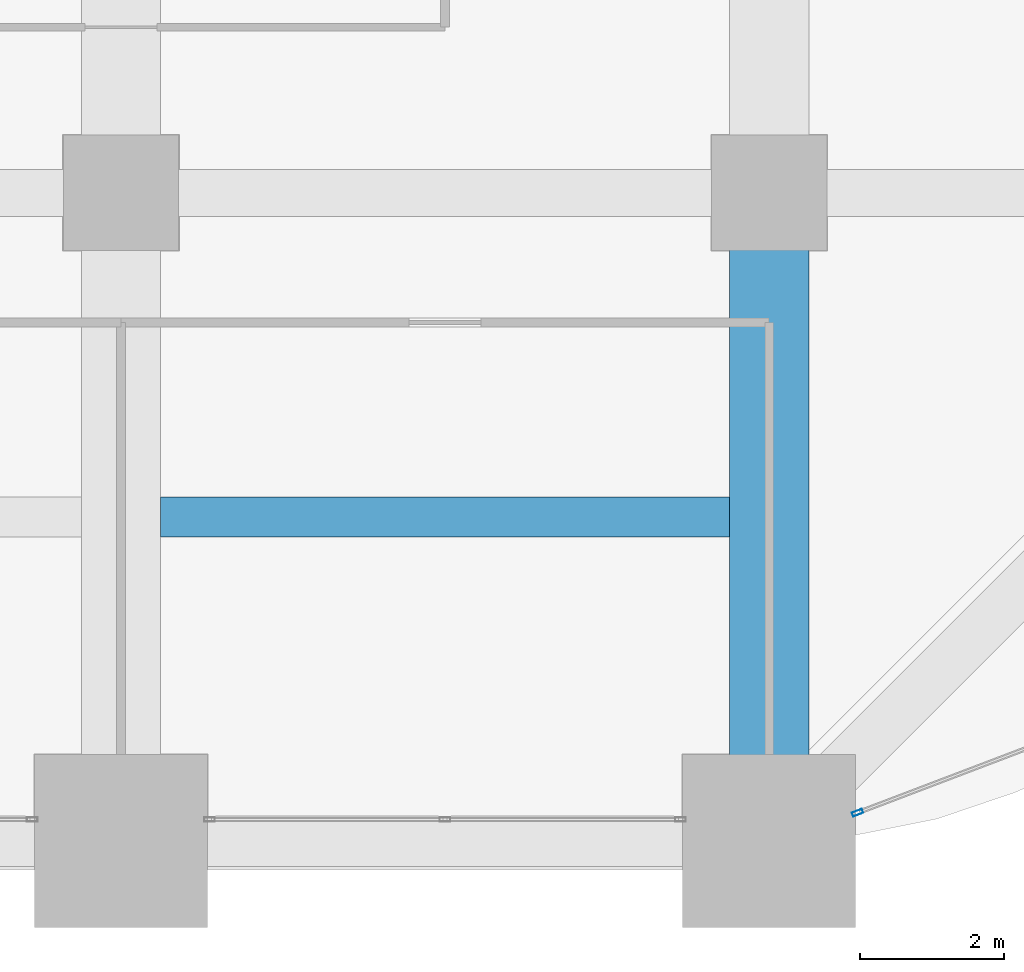
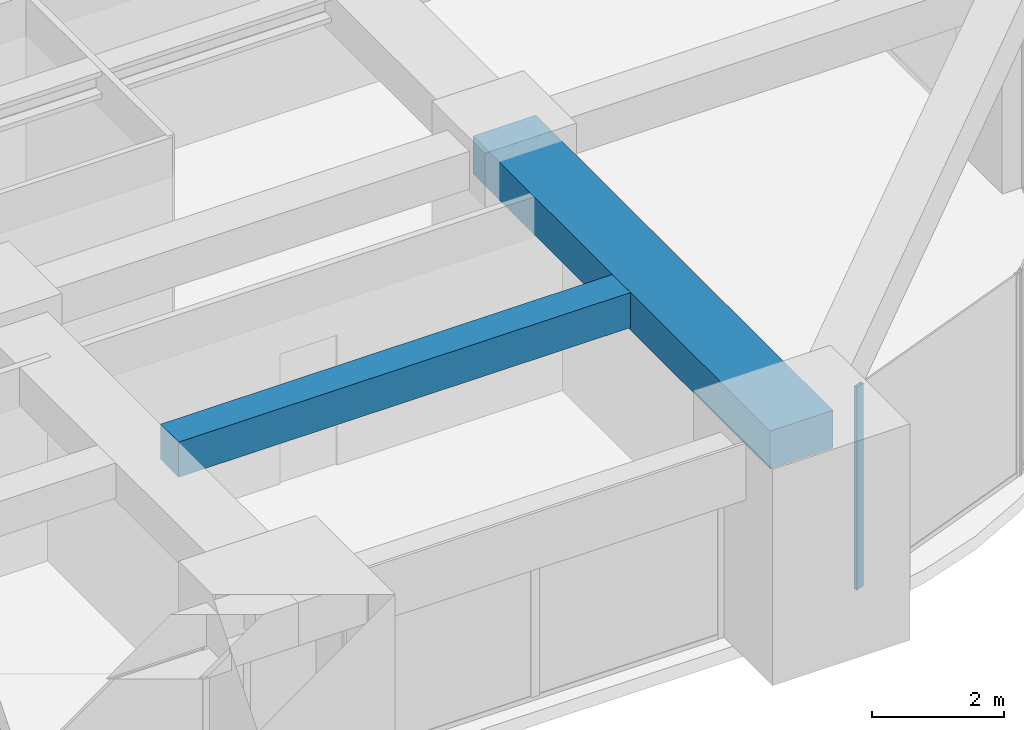
# One storey, part 14 of 34: 2 beams, 1 member, 1 element without a shape of its own.
"""IFC4 building model written with IfcOpenShell, lengths in metres."""

from ifc_helpers import new_model, si_unit, direction, frame, origin, origin_2d, place, context, subcontext, project, spatial, rectangle, hollow_rectangle, extrude, material, material_profile, profile_set, type_object, element, aggregate, save


model = new_model("IFC4")

# Units and contexts
model_context = context("Model", 3, precision=1e-05, world=origin(), true_north=direction((0.0, 1.0)))
body_context = subcontext(model_context, "Body", "Model", "MODEL_VIEW")
ifc_project = project(units=[si_unit("LENGTHUNIT", "METRE"), si_unit("AREAUNIT", "SQUARE_METRE"), si_unit("VOLUMEUNIT", "CUBIC_METRE"), si_unit("PLANEANGLEUNIT", "RADIAN"), si_unit("MASSUNIT", "GRAM", prefix="KILO")], contexts=[model_context])

# Site, building, storey
site_placement = place(None, origin())
site = spatial("IfcSite", under=ifc_project, at=site_placement, CompositionType="ELEMENT")
building_placement = place(site_placement, origin())
building = spatial("IfcBuilding", under=site, at=building_placement, Name="Zorevar Civic Tower", CompositionType="ELEMENT")
storey_placement = place(building_placement, frame((0.0, 0.0, 170.199951171875)))
storey = spatial("IfcBuildingStorey", under=building, at=storey_placement, Name="L41", CompositionType="ELEMENT", Elevation=170.199951171875)

# Beams
ifc_material_1 = material(Name="Concrete C50/60", Category="concrete")
ifc_material_profile_1 = material_profile(ifc_material_1, rectangle(XDim=1.10009765625, YDim=0.699951171875, at=origin_2d()), Name="RC 1100x700")
ifc_profile_set_1 = profile_set([ifc_material_profile_1], Name="Concrete C50/60")
beam_type_1 = type_object("IfcBeamType", Name="Beam RC 1100x700", PredefinedType="BEAM", material=ifc_profile_set_1)
beam_1_placement = place(storey_placement, frame((45.0, 0.0, 3.400146484375), z_axis=(0.0, 1.0, 0.0), x_axis=(-1.0, 0.0, 0.0)))
element("IfcBeam", 1, at=beam_1_placement, inside=storey, type_object=beam_type_1, Name="Girder L42", PredefinedType="BEAM", context=body_context, shape_type="SweptSolid", body=[
    extrude(rectangle(XDim=1.10009765625, YDim=0.699951171875, at=origin_2d()), origin(), (0.0, 0.0, 1.0), 9.0),
])
ifc_material_2 = material(Name="Concrete C50/60", Category="concrete")
ifc_material_profile_2 = material_profile(ifc_material_2, rectangle(XDim=0.550048828125, YDim=0.64990234375, at=origin_2d()), Name="RC 550x650")
ifc_profile_set_2 = profile_set([ifc_material_profile_2], Name="Concrete C50/60")
beam_type_2 = type_object("IfcBeamType", Name="Beam RC 550x650", PredefinedType="BEAM", material=ifc_profile_set_2)
beam_2_placement = place(storey_placement, frame((36.550048828125, 4.5, 3.425048828125), z_axis=(1.0, 0.0, 0.0), x_axis=(0.0, 1.0, 0.0)))
element("IfcBeam", 2, at=beam_2_placement, inside=storey, type_object=beam_type_2, Name="Secondary beam L42", PredefinedType="BEAM", context=body_context, shape_type="SweptSolid", body=[
    extrude(rectangle(XDim=0.550048828125, YDim=0.64990234375, at=origin_2d()), origin(), (0.0, 0.0, 1.0), 7.89990234375),
])

# Curtain wall, member
ifc_material_3 = material(Name="Dark grey solar-control glass in black aluminium frame", Category="aluminium")
curtain_wall_type = type_object("IfcCurtainWallType", Name="Curtain wall CW4 high zone", PredefinedType="NOTDEFINED", material=ifc_material_3)
curtain_wall_placement = place(storey_placement, origin())
curtain_wall = element("IfcCurtainWall", 3, at=curtain_wall_placement, inside=storey, type_object=curtain_wall_type, Name="CW4 L41", PredefinedType="NOTDEFINED")
ifc_material_4 = material(Name="Aluminium, black anodised", Category="aluminium")
ifc_material_profile_3 = material_profile(ifc_material_4, hollow_rectangle(XDim=0.06005859375, YDim=0.14990234375, WallThickness=0.00390625, at=origin_2d()), Name="AL 150x60x4")
ifc_profile_set_3 = profile_set([ifc_material_profile_3], Name="Aluminium, black anodised")
member_type = type_object("IfcMemberType", Name="CW4 mullion AL 150x60x4", PredefinedType="MULLION", material=ifc_profile_set_3)
member_placement = place(storey_placement, frame((46.22802734375, 0.393798828125, 0.0), z_axis=(0.0, 0.0, 1.0), x_axis=(-0.355730895803, 0.93458842801, 0.0)))
member = element("IfcMember", 4, at=member_placement, type_object=member_type, Name="CW4 mullion 1", PredefinedType="MULLION", context=body_context, shape_type="SweptSolid", body=[
    extrude(hollow_rectangle(XDim=0.06005859375, YDim=0.14990234375, WallThickness=0.00390625, at=origin_2d()), origin(), (0.0, 0.0, 1.0), 3.75),
])
aggregate(curtain_wall, [member])

save(model, "model.ifc")
